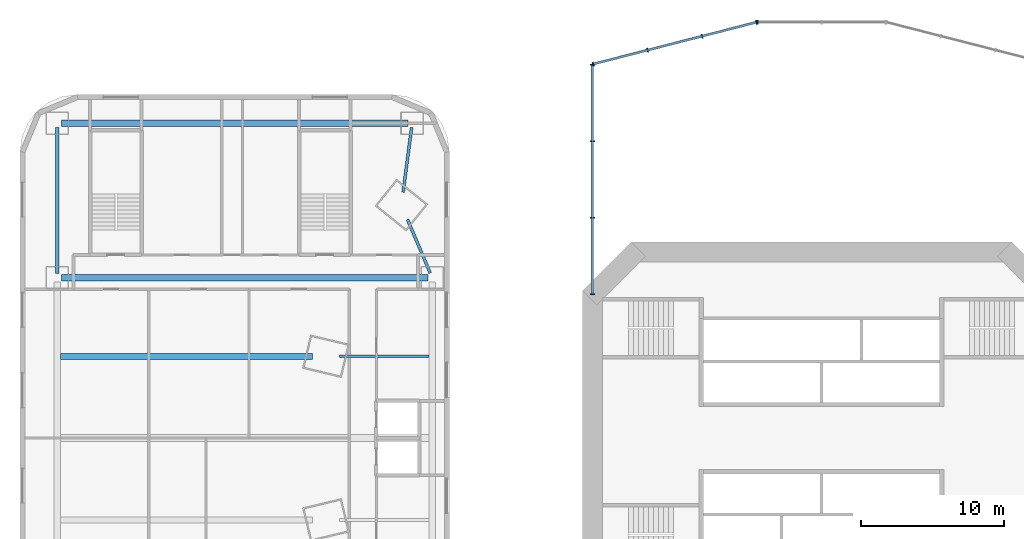
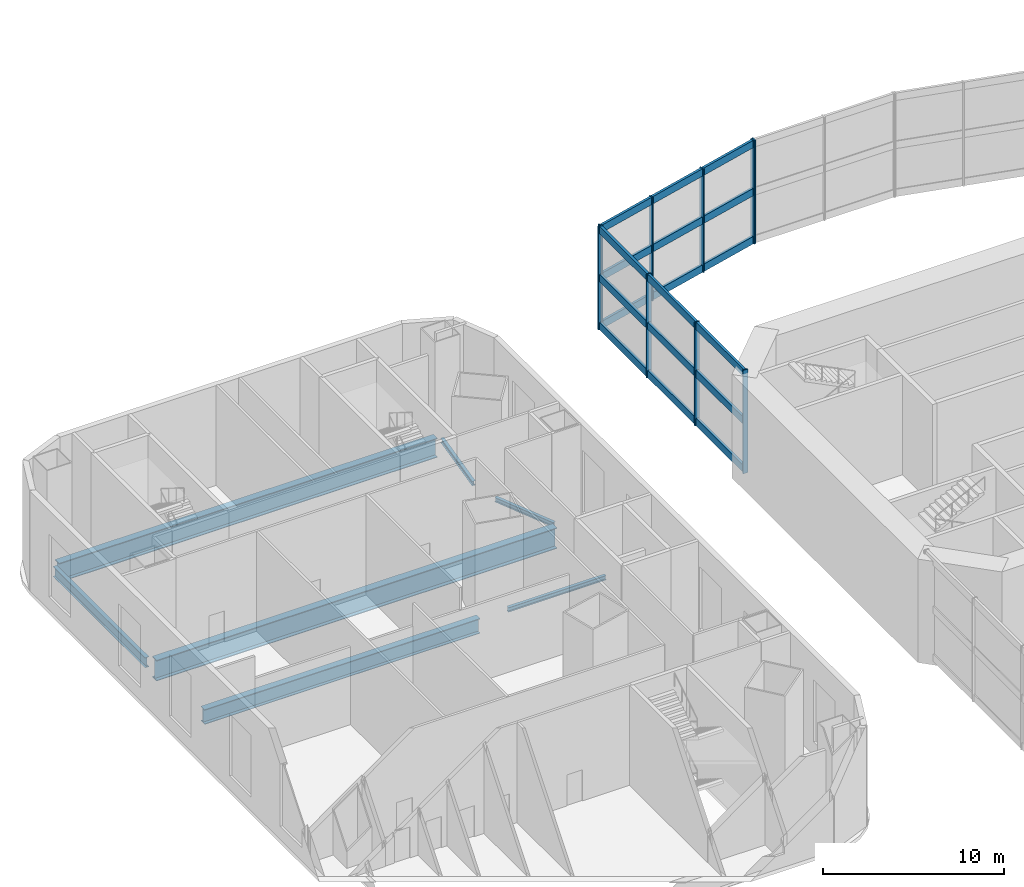
# One storey, part 3 of 19: 15 members, 7 beams, 3 elements without a shape of their own.
"""IFC4 building model written with IfcOpenShell, lengths in metres."""

import ifcopenshell
import ifcopenshell.guid

model = None  # the IFC model being written
_history = None  # IfcOwnerHistory: only IFC2X3 demands one
_inside = {}  # id of a spatial element -> (the spatial element, [elements in it])
_under = {}  # id of a project, library or spatial element -> (it, [spatial elements below it])
_declared = {}  # id of a project -> (the project, [libraries it declares])
_typed = {}  # id of a type object -> (the type object, [elements of that type])
_made_of = {}  # id of a material, layer set ... -> (it, [elements and type objects made of it])


def new_model(schema):
    """Start an empty IFC model of exactly this schema.

    Asked for "IFC4X3", IfcOpenShell would pick the latest addendum, in which some entities
    have other attributes; the version numbers below select the first issue.
    IFC2X3 requires an IfcOwnerHistory on every rooted entity: one is made here for all.
    """
    global model, _history
    if schema == "IFC4X3":
        model = ifcopenshell.file(schema_version=(4, 3, 0, 0))
    else:
        model = ifcopenshell.file(schema=schema)
    _inside.clear()
    _under.clear()
    _declared.clear()
    _typed.clear()
    _made_of.clear()
    _history = None
    if model.schema == "IFC2X3":
        org = make("IfcOrganization", Name="unknown")
        user = make(
            "IfcPersonAndOrganization",
            ThePerson=make("IfcPerson", FamilyName="unknown"),
            TheOrganization=org,
        )
        app = make(
            "IfcApplication",
            ApplicationDeveloper=org,
            Version="unknown",
            ApplicationFullName="unknown",
            ApplicationIdentifier="unknown",
        )
        _history = make(
            "IfcOwnerHistory",
            OwningUser=user,
            OwningApplication=app,
            ChangeAction="ADDED",
            CreationDate=0,
        )
    return model


def make(cls, **values):
    """One entity of the class cls with the attributes given. An attribute that is None is left unset."""
    return model.create_entity(
        cls, **{name: value for name, value in values.items() if value is not None}
    )


def rooted(cls, **values):
    """An entity with a GlobalId (a new one), such as an element, a storey or a relation."""
    return make(cls, GlobalId=ifcopenshell.guid.new(), OwnerHistory=_history, **values)


def si_unit(unit_type, name, prefix=None):
    """IfcSIUnit, for example si_unit("LENGTHUNIT", "METRE", prefix="MILLI")."""
    return make("IfcSIUnit", UnitType=unit_type, Prefix=prefix, Name=name)


def assignment(units):
    """IfcUnitAssignment: the units of a project."""
    return None if units is None else make("IfcUnitAssignment", Units=units)


def point(xyz):
    """IfcCartesianPoint."""
    return None if xyz is None else make("IfcCartesianPoint", Coordinates=xyz)


def direction(xyz):
    """IfcDirection."""
    return None if xyz is None else make("IfcDirection", DirectionRatios=xyz)


def frame(location, z_axis=None, x_axis=None):
    """IfcAxis2Placement3D, a coordinate frame: its origin and axes. An axis left out is left unset."""
    return make(
        "IfcAxis2Placement3D",
        Location=point(location),
        Axis=direction(z_axis),
        RefDirection=direction(x_axis),
    )


def frame_2d(location, x_axis=None):
    """IfcAxis2Placement2D, a coordinate frame in the plane: its origin and x axis."""
    return make(
        "IfcAxis2Placement2D", Location=point(location), RefDirection=direction(x_axis)
    )


def origin():
    """The frame at (0, 0, 0) with its axes left unset."""
    return frame((0.0, 0.0, 0.0))


def origin_2d():
    """The frame at (0, 0) in the plane with its x axis left unset."""
    return frame_2d((0.0, 0.0))


def place(relative_to, where):
    """IfcLocalPlacement: puts the frame where relative to a parent placement (None: the world)."""
    return make(
        "IfcLocalPlacement", PlacementRelTo=relative_to, RelativePlacement=where
    )


def context(
    kind, dimensions, precision=None, world=None, true_north=None, identifier=None
):
    """IfcGeometricRepresentationContext, for example the 3D "Model" context."""
    return make(
        "IfcGeometricRepresentationContext",
        ContextIdentifier=identifier,
        ContextType=kind,
        CoordinateSpaceDimension=dimensions,
        Precision=precision,
        WorldCoordinateSystem=world,
        TrueNorth=true_north,
    )


def subcontext(parent, identifier, kind, view, scale=None):
    """IfcGeometricRepresentationSubContext, for example "Body" below "Model"."""
    return make(
        "IfcGeometricRepresentationSubContext",
        ContextIdentifier=identifier,
        ContextType=kind,
        ParentContext=parent,
        TargetScale=scale,
        TargetView=view,
    )


def project(units=None, contexts=None):
    """IfcProject with its units and contexts."""
    return rooted(
        "IfcProject",
        Name="project",
        RepresentationContexts=contexts,
        UnitsInContext=assignment(units),
    )


def spatial(cls, under=None, at=None, **own):
    """A site, building, storey or space (cls), placed at a placement, below another one or the project."""
    s = rooted(cls, ObjectPlacement=at, **own)
    if under is not None:
        _under.setdefault(under.id(), (under, []))[1].append(s)
    return s


def profile(cls, at=None, kind="AREA", **sizes):
    """A parametric profile (cls). Its sizes go by their IFC names, for example OverallWidth=200.0."""
    return make(cls, ProfileType=kind, Position=at, **sizes)


def rectangle(**sizes):
    """IfcRectangleProfileDef."""
    return profile("IfcRectangleProfileDef", **sizes)


def i_section(**sizes):
    """IfcIShapeProfileDef."""
    return profile("IfcIShapeProfileDef", **sizes)


def extrude(swept, where, along, depth):
    """IfcExtrudedAreaSolid: the profile swept, set in the frame where, extruded along a direction by depth."""
    return make(
        "IfcExtrudedAreaSolid",
        SweptArea=swept,
        Position=where,
        ExtrudedDirection=direction(along),
        Depth=depth,
    )


def shape(context_of_items, identifier, shape_type, items):
    """IfcShapeRepresentation: the items that make up one representation, for example the "Body"."""
    return make(
        "IfcShapeRepresentation",
        ContextOfItems=context_of_items,
        RepresentationIdentifier=identifier,
        RepresentationType=shape_type,
        Items=items,
    )


def material(Name=None, Category=None):
    """IfcMaterial."""
    return make("IfcMaterial", Name=Name, Category=Category)


def material_profile(
    of_material, cross_section, Name=None, Category=None, Priority=None
):
    """IfcMaterialProfile: a cross section and its material."""
    return make(
        "IfcMaterialProfile",
        Name=Name,
        Material=of_material,
        Profile=cross_section,
        Priority=Priority,
        Category=Category,
    )


def profile_set(profiles, Name=None, composite=None):
    """IfcMaterialProfileSet."""
    return make(
        "IfcMaterialProfileSet",
        Name=Name,
        MaterialProfiles=profiles,
        CompositeProfile=composite,
    )


def made_of(thing, what):
    """Note that an element or type object is made of a material, layer set ...; save() writes the relation."""
    if what is not None:
        _made_of.setdefault(what.id(), (what, []))[1].append(thing)
    return thing


def type_object(cls, material=None, **own):
    """A type object (cls), such as IfcWallType, which elements share."""
    return made_of(rooted(cls, **own), material)


def element(
    cls,
    number,
    at=None,
    inside=None,
    cuts=None,
    type_object=None,
    material=None,
    context=None,
    identifier="Body",
    shape_type=None,
    held_by="IfcProductDefinitionShape",
    body=None,
    shapes=None,
    **own,
):
    """One element of the class cls, such as IfcWall. Its Tag is "e" and its number.

    at: its placement. inside: the storey or other place that contains it. cuts: it is an
    opening in that element (IfcRelVoidsElement). A single representation is given by context,
    identifier, shape_type and body (its items); several are given by shapes. held_by: the class
    of the entity that holds the representations. save() writes the other relations.
    """
    e = rooted(cls, Tag="e%d" % number, ObjectPlacement=at, **own)
    if body is not None:
        shapes = [shape(context, identifier, shape_type, body)]
    if shapes is not None:
        e.Representation = make(held_by, Representations=shapes)
    if inside is not None:
        _inside.setdefault(inside.id(), (inside, []))[1].append(e)
    if cuts is not None:
        rooted(
            "IfcRelVoidsElement", RelatingBuildingElement=cuts, RelatedOpeningElement=e
        )
    if type_object is not None:
        _typed.setdefault(type_object.id(), (type_object, []))[1].append(e)
    return made_of(e, material)


def aggregate(whole, parts):
    """IfcRelAggregates: a whole, such as a stair, and the parts it consists of."""
    return rooted("IfcRelAggregates", RelatingObject=whole, RelatedObjects=parts)


def save(model, path):
    """Write the relations noted so far, then the file.

    IfcRelAggregates (storeys below a building ...), IfcRelContainedInSpatialStructure (elements
    in a storey), IfcRelDefinesByType, IfcRelAssociatesMaterial and IfcRelDeclares: one each for
    every whole, place, type object, material and project.
    """
    for whole, parts in _under.values():
        aggregate(whole, parts)
    for where, things in _inside.values():
        rooted(
            "IfcRelContainedInSpatialStructure",
            RelatedElements=things,
            RelatingStructure=where,
        )
    for kind, things in _typed.values():
        rooted("IfcRelDefinesByType", RelatedObjects=things, RelatingType=kind)
    for what, things in _made_of.values():
        rooted("IfcRelAssociatesMaterial", RelatedObjects=things, RelatingMaterial=what)
    for by, libraries in _declared.values():
        rooted("IfcRelDeclares", RelatingContext=by, RelatedDefinitions=libraries)
    model.write(path)


model = new_model("IFC4")

# Units and contexts
model_context = context("Model", 3, precision=1e-05, world=origin(), true_north=direction((0.0, 1.0)))
body_context = subcontext(model_context, "Body", "Model", "MODEL_VIEW")
ifc_project = project(units=[si_unit("LENGTHUNIT", "METRE"), si_unit("AREAUNIT", "SQUARE_METRE"), si_unit("VOLUMEUNIT", "CUBIC_METRE"), si_unit("PLANEANGLEUNIT", "RADIAN"), si_unit("MASSUNIT", "GRAM", prefix="KILO")], contexts=[model_context])

# Site, building, storey
site_placement = place(None, origin())
site = spatial("IfcSite", under=ifc_project, at=site_placement, CompositionType="ELEMENT")
building_placement = place(site_placement, origin())
building = spatial("IfcBuilding", under=site, at=building_placement, Name="Marenthal Gate Tower", CompositionType="ELEMENT")
storey_placement = place(building_placement, frame((0.0, 0.0, 12.0)))
storey = spatial("IfcBuildingStorey", under=building, at=storey_placement, Name="L01", CompositionType="ELEMENT", Elevation=12.0)

# Curtain wall, members
ifc_material_1 = material(Name="Aluminium and glass", Category="aluminium")
curtain_wall_type = type_object("IfcCurtainWallType", Name="Curtain wall arch infill", PredefinedType="NOTDEFINED", material=ifc_material_1)
curtain_wall_1_placement = place(storey_placement, origin())
curtain_wall_1 = element("IfcCurtainWall", 1, at=curtain_wall_1_placement, inside=storey, type_object=curtain_wall_type, Name="Curtain wall L01 arch N1", PredefinedType="NOTDEFINED")
ifc_material_2 = material(Name="Aluminium", Category="aluminium")
ifc_material_profile_1 = material_profile(ifc_material_2, rectangle(XDim=0.300048828125, YDim=0.080078125, at=origin_2d()), Name="80x300 aluminium mullion")
ifc_profile_set_1 = profile_set([ifc_material_profile_1], Name="Aluminium")
member_type_1 = type_object("IfcMemberType", Name="Mullion 80x300 arch infill", PredefinedType="MULLION", material=ifc_profile_set_1)
member_1_placement = place(storey_placement, frame((-15.961181640625, 26.12744140625, 0.0), z_axis=(0.0, 0.0, 1.0), x_axis=(-0.247965362941, 0.968768898542, 0.0)))
member_1 = element("IfcMember", 2, at=member_1_placement, type_object=member_type_1, Name="Mullion L01 arch N1.1", PredefinedType="MULLION", context=body_context, shape_type="SweptSolid", body=[
    extrude(rectangle(XDim=0.300048828125, YDim=0.080078125, at=origin_2d()), origin(), (0.0, 0.0, 1.0), 7.0),
])
member_2_placement = place(storey_placement, frame((-12.15380859375, 27.101806640625, 0.0), z_axis=(0.0, 0.0, 1.0), x_axis=(-0.247965362941, 0.968768898542, 0.0)))
member_2 = element("IfcMember", 3, at=member_2_placement, type_object=member_type_1, Name="Mullion L01 arch N1.2", PredefinedType="MULLION", context=body_context, shape_type="SweptSolid", body=[
    extrude(rectangle(XDim=0.300048828125, YDim=0.080078125, at=origin_2d()), origin(), (0.0, 0.0, 1.0), 7.0),
])
member_3_placement = place(storey_placement, frame((-8.34619140625, 28.076416015625, 0.0), z_axis=(0.0, 0.0, 1.0), x_axis=(-0.247965362941, 0.968768898542, 0.0)))
member_3 = element("IfcMember", 4, at=member_3_placement, type_object=member_type_1, Name="Mullion L01 arch N1.3", PredefinedType="MULLION", context=body_context, shape_type="SweptSolid", body=[
    extrude(rectangle(XDim=0.300048828125, YDim=0.080078125, at=origin_2d()), origin(), (0.0, 0.0, 1.0), 7.0),
])
member_4_placement = place(storey_placement, frame((-4.538818359375, 29.051025390625, 0.0), z_axis=(0.0, 0.0, 1.0), x_axis=(-0.247965362941, 0.968768898542, 0.0)))
member_4 = element("IfcMember", 5, at=member_4_placement, type_object=member_type_1, Name="Mullion L01 arch N1.4", PredefinedType="MULLION", context=body_context, shape_type="SweptSolid", body=[
    extrude(rectangle(XDim=0.300048828125, YDim=0.080078125, at=origin_2d()), origin(), (0.0, 0.0, 1.0), 7.0),
])

# Curtain wall, member
curtain_wall_2_placement = place(storey_placement, origin())
curtain_wall_2 = element("IfcCurtainWall", 6, at=curtain_wall_2_placement, inside=storey, type_object=curtain_wall_type, Name="Curtain wall L01 arch N2", PredefinedType="NOTDEFINED")
member_5_placement = place(storey_placement, frame((-4.4599609375, 29.06103515625, 0.0), z_axis=(0.0, 0.0, 1.0), x_axis=(0.0, 1.0, 0.0)))
member_5 = element("IfcMember", 7, at=member_5_placement, type_object=member_type_1, Name="Mullion L01 arch N2.1", PredefinedType="MULLION", context=body_context, shape_type="SweptSolid", body=[
    extrude(rectangle(XDim=0.300048828125, YDim=0.080078125, at=origin_2d()), origin(), (0.0, 0.0, 1.0), 7.0),
])
aggregate(curtain_wall_2, [member_5])

# Curtain wall, members
curtain_wall_3_placement = place(storey_placement, origin())
curtain_wall_3 = element("IfcCurtainWall", 8, at=curtain_wall_3_placement, inside=storey, type_object=curtain_wall_type, Name="Curtain wall L01 hall NW1", PredefinedType="NOTDEFINED")
member_6_placement = place(storey_placement, frame((-16.0, 10.0400390625, 0.0), z_axis=(0.0, 0.0, 1.0), x_axis=(-1.0, 0.0, 0.0)))
member_6 = element("IfcMember", 9, at=member_6_placement, type_object=member_type_1, Name="Mullion L01 hall NW1.1", PredefinedType="MULLION", context=body_context, shape_type="SweptSolid", body=[
    extrude(rectangle(XDim=0.300048828125, YDim=0.080078125, at=origin_2d()), origin(), (0.0, 0.0, 1.0), 7.0),
])
member_7_placement = place(storey_placement, frame((-16.0, 15.3857421875, 0.0), z_axis=(0.0, 0.0, 1.0), x_axis=(-1.0, 0.0, 0.0)))
member_7 = element("IfcMember", 10, at=member_7_placement, type_object=member_type_1, Name="Mullion L01 hall NW1.2", PredefinedType="MULLION", context=body_context, shape_type="SweptSolid", body=[
    extrude(rectangle(XDim=0.300048828125, YDim=0.080078125, at=origin_2d()), origin(), (0.0, 0.0, 1.0), 7.0),
])
member_8_placement = place(storey_placement, frame((-16.0, 20.731689453125, 0.0), z_axis=(0.0, 0.0, 1.0), x_axis=(-1.0, 0.0, 0.0)))
member_8 = element("IfcMember", 11, at=member_8_placement, type_object=member_type_1, Name="Mullion L01 hall NW1.3", PredefinedType="MULLION", context=body_context, shape_type="SweptSolid", body=[
    extrude(rectangle(XDim=0.300048828125, YDim=0.080078125, at=origin_2d()), origin(), (0.0, 0.0, 1.0), 7.0),
])
member_9_placement = place(storey_placement, frame((-16.0, 26.077392578125, 0.0), z_axis=(0.0, 0.0, 1.0), x_axis=(-1.0, 0.0, 0.0)))
member_9 = element("IfcMember", 12, at=member_9_placement, type_object=member_type_1, Name="Mullion L01 hall NW1.4", PredefinedType="MULLION", context=body_context, shape_type="SweptSolid", body=[
    extrude(rectangle(XDim=0.300048828125, YDim=0.080078125, at=origin_2d()), origin(), (0.0, 0.0, 1.0), 7.0),
])

# Beams
ifc_material_3 = material(Name="Steel S355", Category="steel")
ifc_material_profile_2 = material_profile(ifc_material_3, i_section(OverallWidth=0.419921875, OverallDepth=1.0, WebThickness=0.02001953125, FlangeThickness=0.035888671875, at=origin_2d()), Name="PLATE GIRDER 1000X420X20X36")
ifc_profile_set_2 = profile_set([ifc_material_profile_2], Name="Steel S355")
beam_type_1 = type_object("IfcBeamType", Name="PLATE GIRDER 1000X420X20X36 beam", PredefinedType="BEAM", material=ifc_profile_set_2)
beam_1_placement = place(storey_placement, frame((-35.561279296875, 5.716064453125, -0.75), z_axis=(-1.0, 0.0, 0.0), x_axis=(0.0, -1.0, 0.0)))
element("IfcBeam", 13, at=beam_1_placement, inside=storey, type_object=beam_type_1, Name="BM-L01-128", PredefinedType="BEAM", context=body_context, shape_type="SweptSolid", body=[
    extrude(i_section(OverallWidth=0.419921875, OverallDepth=1.0, WebThickness=0.02001953125, FlangeThickness=0.035888671875, at=origin_2d()), origin(), (0.0, 0.0, 1.0), 17.61376953125),
])
ifc_material_4 = material(Name="Steel S355", Category="steel")
ifc_material_profile_3 = material_profile(ifc_material_4, i_section(OverallWidth=0.4599609375, OverallDepth=1.300048828125, WebThickness=0.02490234375, FlangeThickness=0.044921875, at=origin_2d()), Name="PLATE GIRDER 1300X460X25X45")
ifc_profile_set_3 = profile_set([ifc_material_profile_3], Name="Steel S355")
beam_type_2 = type_object("IfcBeamType", Name="PLATE GIRDER 1300X460X25X45 beam", PredefinedType="BEAM", material=ifc_profile_set_3)
beam_2_placement = place(storey_placement, frame((-28.89990234375, 22.0, -0.89990234375), z_axis=(-1.0, 0.0, 0.0), x_axis=(0.0, -1.0, 0.0)))
element("IfcBeam", 14, at=beam_2_placement, inside=storey, type_object=beam_type_2, Name="BM-L01-130", PredefinedType="BEAM", context=body_context, shape_type="SweptSolid", body=[
    extrude(i_section(OverallWidth=0.4599609375, OverallDepth=1.300048828125, WebThickness=0.02490234375, FlangeThickness=0.044921875, at=origin_2d()), origin(), (0.0, 0.0, 1.0), 24.2001953125),
])
ifc_material_5 = material(Name="Steel S355", Category="steel")
ifc_material_profile_4 = material_profile(ifc_material_5, i_section(OverallWidth=0.47998046875, OverallDepth=1.39990234375, WebThickness=0.02490234375, FlangeThickness=0.044921875, at=origin_2d()), Name="PLATE GIRDER 1400X480X25X45")
ifc_profile_set_4 = profile_set([ifc_material_profile_4], Name="Steel S355")
beam_type_3 = type_object("IfcBeamType", Name="PLATE GIRDER 1400X480X25X45 beam", PredefinedType="BEAM", material=ifc_profile_set_4)
beam_3_placement = place(storey_placement, frame((-27.5, 11.199951171875, -0.949951171875), z_axis=(-1.0, 0.0, 0.0), x_axis=(0.0, -1.0, 0.0)))
element("IfcBeam", 15, at=beam_3_placement, inside=storey, type_object=beam_type_3, Name="BM-L01-129", PredefinedType="BEAM", context=body_context, shape_type="SweptSolid", body=[
    extrude(i_section(OverallWidth=0.47998046875, OverallDepth=1.39990234375, WebThickness=0.02490234375, FlangeThickness=0.044921875, at=origin_2d()), origin(), (0.0, 0.0, 1.0), 25.60009765625),
])

# Member
ifc_material_6 = material(Name="Aluminium", Category="aluminium")
ifc_material_profile_5 = material_profile(ifc_material_6, rectangle(XDim=0.159912109375, YDim=0.5, at=origin_2d()), Name="160x500 aluminium transom")
ifc_profile_set_5 = profile_set([ifc_material_profile_5], Name="Aluminium")
member_type_2 = type_object("IfcMemberType", Name="Transom 160x500 arch infill", PredefinedType="USERDEFINED", material=ifc_profile_set_5)
member_10_placement = place(storey_placement, frame((-15.922607421875, 26.13720703125, 0.25), z_axis=(0.968771034171, 0.247957019161, 0.0), x_axis=(-0.247957019161, 0.968771034171, 0.0)))
member_10 = element("IfcMember", 16, at=member_10_placement, type_object=member_type_2, Name="Transom L01 arch N1.1", ObjectType="TRANSOM", PredefinedType="USERDEFINED", context=body_context, shape_type="SweptSolid", body=[
    extrude(rectangle(XDim=0.159912109375, YDim=0.5, at=origin_2d()), origin(), (0.0, 0.0, 1.0), 11.7109375),
])

member_11_placement = place(storey_placement, frame((-15.922607421875, 26.13720703125, 3.5), z_axis=(0.968771034171, 0.247957019161, 0.0), x_axis=(-0.247957019161, 0.968771034171, 0.0)))
member_11 = element("IfcMember", 17, at=member_11_placement, type_object=member_type_2, Name="Transom L01 arch N1.2", ObjectType="TRANSOM", PredefinedType="USERDEFINED", context=body_context, shape_type="SweptSolid", body=[
    extrude(rectangle(XDim=0.159912109375, YDim=0.5, at=origin_2d()), origin(), (0.0, 0.0, 1.0), 11.7109375),
])

member_12_placement = place(storey_placement, frame((-15.922607421875, 26.13720703125, 6.75), z_axis=(0.968771034171, 0.247957019161, 0.0), x_axis=(-0.247957019161, 0.968771034171, 0.0)))
member_12 = element("IfcMember", 18, at=member_12_placement, type_object=member_type_2, Name="Transom L01 arch N1.3", ObjectType="TRANSOM", PredefinedType="USERDEFINED", context=body_context, shape_type="SweptSolid", body=[
    extrude(rectangle(XDim=0.159912109375, YDim=0.5, at=origin_2d()), origin(), (0.0, 0.0, 1.0), 11.7109375),
])

aggregate(curtain_wall_1, [member_1, member_2, member_3, member_4, member_10, member_11, member_12])

member_13_placement = place(storey_placement, frame((-16.0, 10.080078125, 0.25), z_axis=(0.0, 1.0, 0.0), x_axis=(-1.0, 0.0, 0.0)))
member_13 = element("IfcMember", 19, at=member_13_placement, type_object=member_type_2, Name="Transom L01 hall NW1.1", ObjectType="TRANSOM", PredefinedType="USERDEFINED", context=body_context, shape_type="SweptSolid", body=[
    extrude(rectangle(XDim=0.159912109375, YDim=0.5, at=origin_2d()), origin(), (0.0, 0.0, 1.0), 15.957275390625),
])

member_14_placement = place(storey_placement, frame((-16.0, 10.080078125, 3.5), z_axis=(0.0, 1.0, 0.0), x_axis=(-1.0, 0.0, 0.0)))
member_14 = element("IfcMember", 20, at=member_14_placement, type_object=member_type_2, Name="Transom L01 hall NW1.2", ObjectType="TRANSOM", PredefinedType="USERDEFINED", context=body_context, shape_type="SweptSolid", body=[
    extrude(rectangle(XDim=0.159912109375, YDim=0.5, at=origin_2d()), origin(), (0.0, 0.0, 1.0), 15.957275390625),
])

member_15_placement = place(storey_placement, frame((-16.0, 10.080078125, 6.75), z_axis=(0.0, 1.0, 0.0), x_axis=(-1.0, 0.0, 0.0)))
member_15 = element("IfcMember", 21, at=member_15_placement, type_object=member_type_2, Name="Transom L01 hall NW1.3", ObjectType="TRANSOM", PredefinedType="USERDEFINED", context=body_context, shape_type="SweptSolid", body=[
    extrude(rectangle(XDim=0.159912109375, YDim=0.5, at=origin_2d()), origin(), (0.0, 0.0, 1.0), 15.957275390625),
])

aggregate(curtain_wall_3, [member_6, member_7, member_8, member_9, member_13, member_14, member_15])

# Beams
ifc_material_7 = material(Name="Steel S355", Category="steel")
ifc_material_profile_6 = material_profile(ifc_material_7, i_section(OverallWidth=0.202880859375, OverallDepth=0.302001953125, WebThickness=0.007568359375, FlangeThickness=0.01318359375, FilletRadius=0.0126953125, at=origin_2d()), Name="W310X60")
ifc_profile_set_6 = profile_set([ifc_material_profile_6], Name="Steel S355")
beam_type_4 = type_object("IfcBeamType", Name="W310X60 beam", PredefinedType="BEAM", material=ifc_profile_set_6)
beam_4_placement = place(storey_placement, frame((-27.425048828125, 5.716064453125, -0.40087890625), z_axis=(-1.0, 0.0, 0.0), x_axis=(0.0, -1.0, 0.0)))
element("IfcBeam", 22, at=beam_4_placement, inside=storey, type_object=beam_type_4, Name="BM-L01-127", PredefinedType="BEAM", context=body_context, shape_type="SweptSolid", body=[
    extrude(i_section(OverallWidth=0.202880859375, OverallDepth=0.302001953125, WebThickness=0.007568359375, FlangeThickness=0.01318359375, FilletRadius=0.0126953125, at=origin_2d()), origin(), (0.0, 0.0, 1.0), 6.2568359375),
])
beam_5_placement = place(storey_placement, frame((-27.34375, 11.53955078125, -0.40087890625), z_axis=(-0.390030578719, 0.920801904681, 0.0), x_axis=(-0.920801904681, -0.390030578719, 0.0)))
element("IfcBeam", 23, at=beam_5_placement, inside=storey, type_object=beam_type_4, Name="BM-L01-131", PredefinedType="BEAM", context=body_context, shape_type="SweptSolid", body=[
    extrude(i_section(OverallWidth=0.202880859375, OverallDepth=0.302001953125, WebThickness=0.007568359375, FlangeThickness=0.01318359375, FilletRadius=0.0126953125, at=origin_2d()), origin(), (0.0, 0.0, 1.0), 4.057373046875),
])
beam_6_placement = place(storey_placement, frame((-29.233154296875, 17.17578125, -0.40087890625), z_axis=(0.130135880417, 0.991496168741, 0.0), x_axis=(-0.991496168741, 0.130135880417, 0.0)))
element("IfcBeam", 24, at=beam_6_placement, inside=storey, type_object=beam_type_4, Name="BM-L01-132", PredefinedType="BEAM", context=body_context, shape_type="SweptSolid", body=[
    extrude(i_section(OverallWidth=0.202880859375, OverallDepth=0.302001953125, WebThickness=0.007568359375, FlangeThickness=0.01318359375, FilletRadius=0.0126953125, at=origin_2d()), origin(), (0.0, 0.0, 1.0), 4.558837890625),
])
ifc_material_8 = material(Name="Steel S355", Category="steel")
ifc_material_profile_7 = material_profile(ifc_material_8, i_section(OverallWidth=0.25390625, OverallDepth=0.68310546875, WebThickness=0.012451171875, FlangeThickness=0.018798828125, FilletRadius=0.01513671875, at=origin_2d()), Name="W690X140")
ifc_profile_set_7 = profile_set([ifc_material_profile_7], Name="Steel S355")
beam_type_5 = type_object("IfcBeamType", Name="W690X140 beam", PredefinedType="BEAM", material=ifc_profile_set_7)
beam_7_placement = place(storey_placement, frame((-53.39990234375, 11.5, -0.591552734375), z_axis=(0.0, 1.0, 0.0), x_axis=(-1.0, 0.0, 0.0)))
element("IfcBeam", 25, at=beam_7_placement, inside=storey, type_object=beam_type_5, Name="BM-L01-120", PredefinedType="BEAM", context=body_context, shape_type="SweptSolid", body=[
    extrude(i_section(OverallWidth=0.25390625, OverallDepth=0.68310546875, WebThickness=0.012451171875, FlangeThickness=0.018798828125, FilletRadius=0.01513671875, at=origin_2d()), origin(), (0.0, 0.0, 1.0), 10.199951171875),
])

save(model, "model.ifc")
